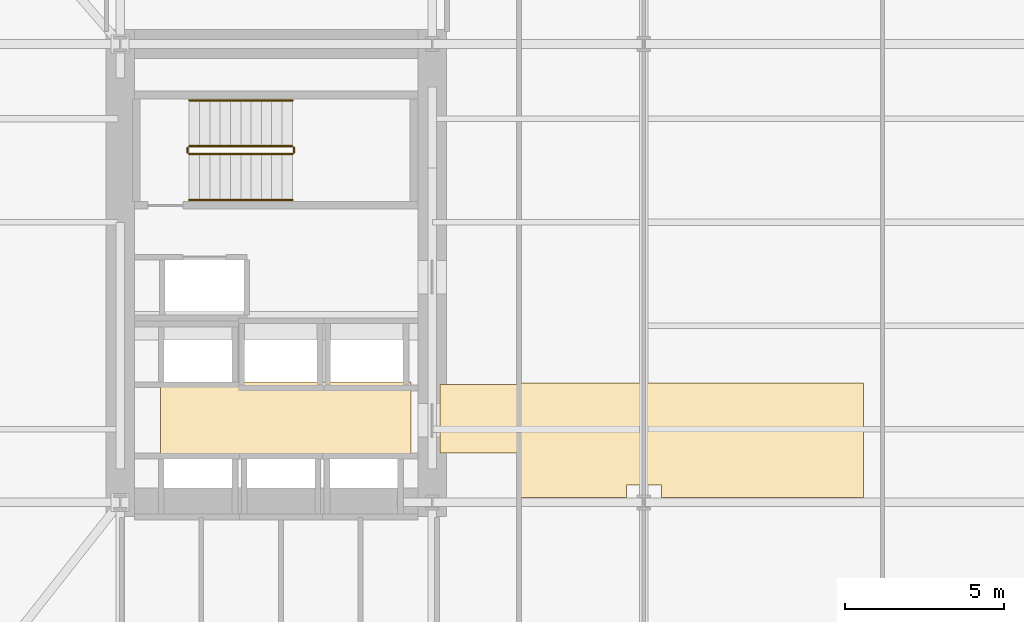
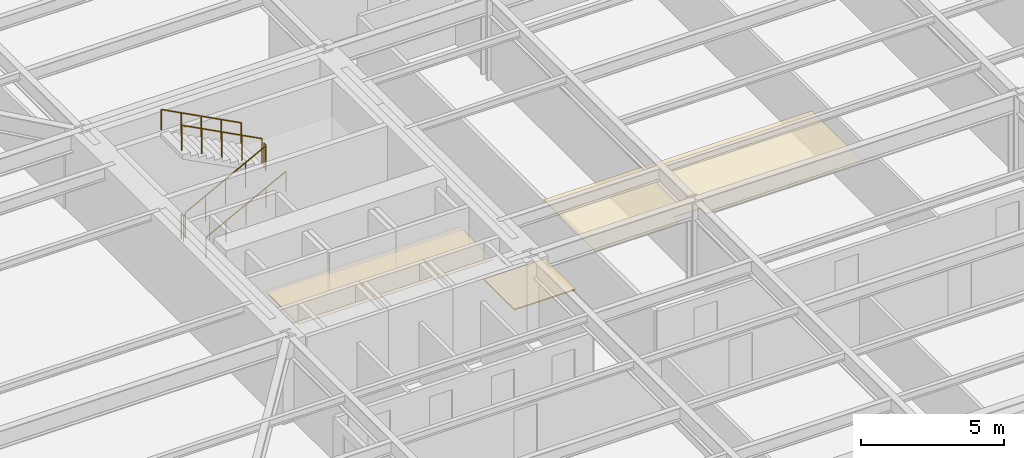
# One storey, part 10 of 15: 6 railings, 3 coverings.
"""IFC4 building model written with IfcOpenShell, lengths in metres."""

from ifc_helpers import new_model, si_unit, direction, frame, origin, origin_2d, place, context, subcontext, project, spatial, polyline, circle, outline, extrude, material, layer, layer_set, type_object, element, save


model = new_model("IFC4")

# Units and contexts
model_context = context("Model", 3, precision=1e-05, world=origin(), true_north=direction((0.0, 1.0)))
body_context = subcontext(model_context, "Body", "Model", "MODEL_VIEW")
ifc_project = project(units=[si_unit("LENGTHUNIT", "METRE"), si_unit("AREAUNIT", "SQUARE_METRE"), si_unit("VOLUMEUNIT", "CUBIC_METRE"), si_unit("PLANEANGLEUNIT", "RADIAN"), si_unit("MASSUNIT", "GRAM", prefix="KILO")], contexts=[model_context])

# Site, building, storey
site_placement = place(None, origin())
site = spatial("IfcSite", under=ifc_project, at=site_placement, CompositionType="ELEMENT")
building_placement = place(site_placement, origin())
building = spatial("IfcBuilding", under=site, at=building_placement, Name="Kolvaren Arena Tower", CompositionType="ELEMENT")
storey_placement = place(building_placement, frame((0.0, 0.0, 49.5)))
storey = spatial("IfcBuildingStorey", under=building, at=storey_placement, Name="L09", CompositionType="ELEMENT", Elevation=49.5)

# Coverings
ifc_material_1 = material(Name="Mineral fibre acoustic ceiling tile", Category="gypsum")
ifc_layer_1 = layer(ifc_material_1, 0.02490234375)
ifc_layer_set_1 = layer_set([ifc_layer_1], Name="Mineral fibre acoustic ceiling tile")
covering_type_1 = type_object("IfcCoveringType", Name="CEIL-ACT-1", PredefinedType="CEILING", material=ifc_layer_set_1)
covering_1_placement = place(storey_placement, frame((0.0, 0.0, 2.52001953125)))
element("IfcCovering", 1, at=covering_1_placement, inside=storey, type_object=covering_type_1, Name="Suspended Ceiling (L09)", PredefinedType="CEILING", context=body_context, shape_type="SweptSolid", body=[
    extrude(outline(polyline([(27.050048828125, 19.60009765625), (27.050048828125, 23.199951171875), (37.89990234375, 23.199951171875), (37.89990234375, 19.60009765625), (31.550048828125, 19.60009765625), (31.550048828125, 20.0), (30.449951171875, 20.0), (30.449951171875, 19.60009765625), (27.050048828125, 19.60009765625)])), origin(), (0.0, 0.0, 1.0), 0.02490234375),
])
ifc_material_2 = material(Name="Moisture-resistant gypsum ceiling", Category="gypsum")
ifc_layer_2 = layer(ifc_material_2, 0.030029296875)
ifc_layer_set_2 = layer_set([ifc_layer_2], Name="Moisture-resistant gypsum ceiling")
covering_type_2 = type_object("IfcCoveringType", Name="CEIL-GYP-1", PredefinedType="CEILING", material=ifc_layer_set_2)
covering_2_placement = place(storey_placement, frame((0.0, 0.0, 2.52001953125)))
element("IfcCovering", 2, at=covering_2_placement, inside=storey, type_object=covering_type_2, Name="Suspended Ceiling (L09)", PredefinedType="CEILING", context=body_context, shape_type="SweptSolid", body=[
    extrude(outline(polyline([(15.820068359375, 20.89990234375), (15.820068359375, 23.239990234375), (23.679931640625, 23.239990234375), (23.679931640625, 20.89990234375), (15.820068359375, 20.89990234375)])), origin(), (0.0, 0.0, 1.0), 0.030029296875),
])
ifc_material_3 = material(Name="Raised access office floor finish", Category="aluminium")
ifc_layer_3 = layer(ifc_material_3, 0.044921875)
ifc_layer_set_3 = layer_set([ifc_layer_3], Name="Raised access office floor finish")
covering_type_3 = type_object("IfcCoveringType", Name="FLOR-RAF-1", PredefinedType="FLOORING", material=ifc_layer_set_3)
covering_3_placement = place(storey_placement, origin())
element("IfcCovering", 3, at=covering_3_placement, inside=storey, type_object=covering_type_3, Name="Floor Finish (L09)", PredefinedType="FLOORING", context=body_context, shape_type="SweptSolid", body=[
    extrude(outline(polyline([(24.60009765625, 21.0), (24.60009765625, 23.14990234375), (27.080078125, 23.14990234375), (27.080078125, 21.0), (24.60009765625, 21.0)])), origin(), (0.0, 0.0, 1.0), 0.044921875),
])

# Railings
ifc_material_4 = material(Name="Painted galvanized steel", Category="steel")
railing_type_1 = type_object("IfcRailingType", Name="GUARD-ST-110", PredefinedType="GUARDRAIL", material=ifc_material_4)
railing_1_placement = place(storey_placement, frame((16.719970703125, 30.389892578125, 0.17041015625)))
element("IfcRailing", 4, at=railing_1_placement, inside=storey, type_object=railing_type_1, Name="L09 ST-W1 stair guard 1", PredefinedType="GUARDRAIL", context=body_context, shape_type="SweptSolid", body=[
    extrude(circle(Radius=0.02392578125, at=origin_2d()), frame((0.0, 0.0, 1.076171875), z_axis=(0.884993431791, 0.0, 0.465603506952), x_axis=(0.0, 1.0, 0.0)), (0.0, 0.0, 1.0), 3.6611328125),
    extrude(circle(Radius=0.02099609375, at=origin_2d()), origin(), (0.0, 0.0, 1.0), 1.052001953125),
    extrude(circle(Radius=0.02099609375, at=origin_2d()), frame((0.81005859375, 0.0, 0.42626953125)), (0.0, 0.0, 1.0), 1.052001953125),
    extrude(circle(Radius=0.02099609375, at=origin_2d()), frame((1.6201171875, 0.0, 0.852294921875)), (0.0, 0.0, 1.0), 1.052001953125),
    extrude(circle(Radius=0.02099609375, at=origin_2d()), frame((2.429931640625, 0.0, 1.2783203125)), (0.0, 0.0, 1.0), 1.052001953125),
    extrude(circle(Radius=0.02099609375, at=origin_2d()), frame((3.239990234375, 0.0, 1.70458984375)), (0.0, 0.0, 1.0), 1.052001953125),
])
railing_2_placement = place(storey_placement, frame((20.010009765625, 30.43994140625, 1.875)))
element("IfcRailing", 5, at=railing_2_placement, inside=storey, type_object=railing_type_1, Name="L09 ST-W1 stair guard 2", PredefinedType="GUARDRAIL", context=body_context, shape_type="SweptSolid", body=[
    extrude(circle(Radius=0.02392578125, at=origin_2d()), frame((0.0, 0.0, 1.076171875), z_axis=(0.0, 1.0, 0.0), x_axis=(-1.0, 0.0, 0.0)), (0.0, 0.0, 1.0), 0.150146484375),
    extrude(circle(Radius=0.02099609375, at=origin_2d()), origin(), (0.0, 0.0, 1.0), 1.052001953125),
    extrude(circle(Radius=0.02099609375, at=origin_2d()), frame((0.0, 0.150146484375, 0.0)), (0.0, 0.0, 1.0), 1.052001953125),
])
railing_3_placement = place(storey_placement, frame((19.9599609375, 30.639892578125, 2.04541015625)))
element("IfcRailing", 6, at=railing_3_placement, inside=storey, type_object=railing_type_1, Name="L09 ST-W1 stair guard 3", PredefinedType="GUARDRAIL", context=body_context, shape_type="SweptSolid", body=[
    extrude(circle(Radius=0.02392578125, at=origin_2d()), frame((0.0, 0.0, 1.076171875), z_axis=(-0.884993431791, 0.0, 0.465603506952), x_axis=(0.0, -1.0, 0.0)), (0.0, 0.0, 1.0), 3.6611328125),
    extrude(circle(Radius=0.02099609375, at=origin_2d()), origin(), (0.0, 0.0, 1.0), 1.052001953125),
    extrude(circle(Radius=0.02099609375, at=origin_2d()), frame((-0.81005859375, 0.0, 0.42626953125)), (0.0, 0.0, 1.0), 1.052001953125),
    extrude(circle(Radius=0.02099609375, at=origin_2d()), frame((-1.6201171875, 0.0, 0.852294921875)), (0.0, 0.0, 1.0), 1.052001953125),
    extrude(circle(Radius=0.02099609375, at=origin_2d()), frame((-2.429931640625, 0.0, 1.2783203125)), (0.0, 0.0, 1.0), 1.052001953125),
    extrude(circle(Radius=0.02099609375, at=origin_2d()), frame((-3.239990234375, 0.0, 1.70458984375)), (0.0, 0.0, 1.0), 1.052001953125),
])
railing_4_placement = place(storey_placement, frame((16.669921875, 30.43994140625, 0.0)))
element("IfcRailing", 7, at=railing_4_placement, inside=storey, type_object=railing_type_1, Name="L09 ST-W1 stair guard 4", PredefinedType="GUARDRAIL", context=body_context, shape_type="SweptSolid", body=[
    extrude(circle(Radius=0.02392578125, at=origin_2d()), frame((0.0, 0.0, 1.076171875), z_axis=(0.0, 1.0, 0.0), x_axis=(-1.0, 0.0, 0.0)), (0.0, 0.0, 1.0), 0.150146484375),
    extrude(circle(Radius=0.02099609375, at=origin_2d()), origin(), (0.0, 0.0, 1.0), 1.052001953125),
    extrude(circle(Radius=0.02099609375, at=origin_2d()), frame((0.0, 0.150146484375, 0.0)), (0.0, 0.0, 1.0), 1.052001953125),
])
ifc_material_5 = material(Name="Brushed stainless steel handrail", Category="steel")
railing_type_2 = type_object("IfcRailingType", Name="HRAIL-900", PredefinedType="HANDRAIL", material=ifc_material_5)
railing_5_placement = place(storey_placement, frame((16.719970703125, 28.949951171875, 0.17041015625)))
element("IfcRailing", 8, at=railing_5_placement, inside=storey, type_object=railing_type_2, Name="L09 ST-W1 stair handrail 1", PredefinedType="HANDRAIL", context=body_context, shape_type="SweptSolid", body=[
    extrude(circle(Radius=0.02392578125, at=origin_2d()), frame((0.0, 0.0, 0.8759765625), z_axis=(0.884993431791, 0.0, 0.465603506952), x_axis=(0.0, 1.0, 0.0)), (0.0, 0.0, 1.0), 3.6611328125),
    extrude(circle(Radius=0.02099609375, at=origin_2d()), origin(), (0.0, 0.0, 1.0), 0.851806640625),
    extrude(circle(Radius=0.02099609375, at=origin_2d()), frame((0.81005859375, 0.0, 0.42626953125)), (0.0, 0.0, 1.0), 0.851806640625),
    extrude(circle(Radius=0.02099609375, at=origin_2d()), frame((1.6201171875, 0.0, 0.852294921875)), (0.0, 0.0, 1.0), 0.851806640625),
    extrude(circle(Radius=0.02099609375, at=origin_2d()), frame((2.429931640625, 0.0, 1.2783203125)), (0.0, 0.0, 1.0), 0.851806640625),
    extrude(circle(Radius=0.02099609375, at=origin_2d()), frame((3.239990234375, 0.0, 1.70458984375)), (0.0, 0.0, 1.0), 0.851806640625),
])
railing_6_placement = place(storey_placement, frame((19.9599609375, 32.080078125, 2.04541015625)))
element("IfcRailing", 9, at=railing_6_placement, inside=storey, type_object=railing_type_2, Name="L09 ST-W1 stair handrail 2", PredefinedType="HANDRAIL", context=body_context, shape_type="SweptSolid", body=[
    extrude(circle(Radius=0.02392578125, at=origin_2d()), frame((0.0, 0.0, 0.8759765625), z_axis=(-0.884993431791, 0.0, 0.465603506952), x_axis=(0.0, -1.0, 0.0)), (0.0, 0.0, 1.0), 3.6611328125),
    extrude(circle(Radius=0.02099609375, at=origin_2d()), origin(), (0.0, 0.0, 1.0), 0.851806640625),
    extrude(circle(Radius=0.02099609375, at=origin_2d()), frame((-0.81005859375, 0.0, 0.42626953125)), (0.0, 0.0, 1.0), 0.851806640625),
    extrude(circle(Radius=0.02099609375, at=origin_2d()), frame((-1.6201171875, 0.0, 0.852294921875)), (0.0, 0.0, 1.0), 0.851806640625),
    extrude(circle(Radius=0.02099609375, at=origin_2d()), frame((-2.429931640625, 0.0, 1.2783203125)), (0.0, 0.0, 1.0), 0.851806640625),
    extrude(circle(Radius=0.02099609375, at=origin_2d()), frame((-3.239990234375, 0.0, 1.70458984375)), (0.0, 0.0, 1.0), 0.851806640625),
])

save(model, "model.ifc")
